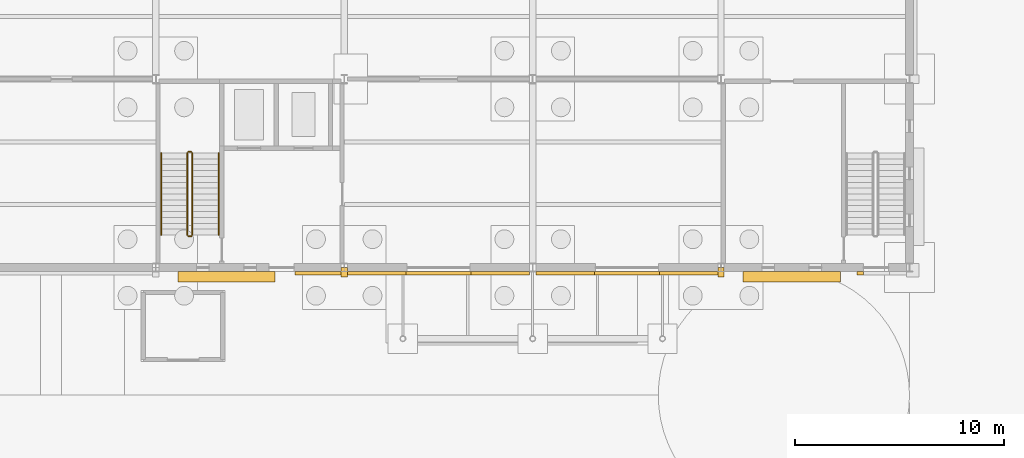
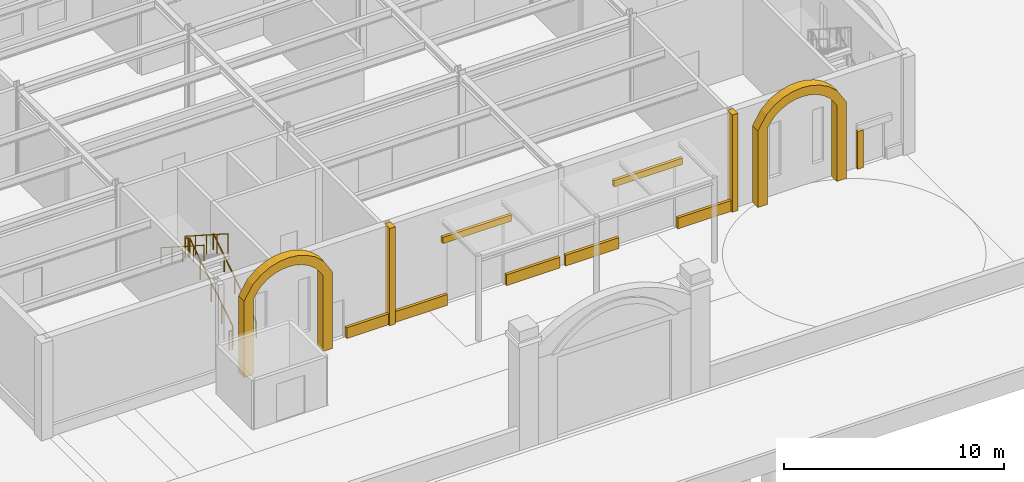
# One storey, part 101 of 126: 12 coverings, 6 railings.
"""IFC4 building model written with IfcOpenShell, lengths in metres."""

from ifc_helpers import new_model, si_unit, direction, frame, origin, origin_2d, place, context, subcontext, project, spatial, polyline, rectangle, circle, outline, extrude, material, layer, layer_set, type_object, element, save


model = new_model("IFC4")

# Units and contexts
model_context = context("Model", 3, precision=1e-05, world=origin(), true_north=direction((0.0, 1.0)))
body_context = subcontext(model_context, "Body", "Model", "MODEL_VIEW")
ifc_project = project(units=[si_unit("LENGTHUNIT", "METRE"), si_unit("AREAUNIT", "SQUARE_METRE"), si_unit("VOLUMEUNIT", "CUBIC_METRE"), si_unit("PLANEANGLEUNIT", "RADIAN"), si_unit("MASSUNIT", "GRAM", prefix="KILO")], contexts=[model_context])

# Site, building, storey
site_placement = place(None, origin())
site = spatial("IfcSite", under=ifc_project, at=site_placement, CompositionType="ELEMENT")
building_placement = place(site_placement, origin())
building = spatial("IfcBuilding", under=site, at=building_placement, Name="Kallimachos Central Library", CompositionType="ELEMENT")
storey_placement = place(building_placement, origin())
storey = spatial("IfcBuildingStorey", under=building, at=storey_placement, Name="L00", CompositionType="ELEMENT", Elevation=0.0)

# Railings
ifc_material_1 = material(Name="Steel S355J2", Category="steel")
railing_type_1 = type_object("IfcRailingType", Name="Stair handrail 900", PredefinedType="HANDRAIL", material=ifc_material_1)
railing_1_placement = place(storey_placement, frame((77.5, 19.550048828125, 0.179931640625)))
element("IfcRailing", 1, at=railing_1_placement, inside=storey, type_object=railing_type_1, Name="L00 ST13 stair handrail 1", PredefinedType="HANDRAIL", context=body_context, shape_type="SweptSolid", body=[
    extrude(circle(Radius=0.02392578125, at=origin_2d()), frame((0.0, 0.0, 0.8759765625), z_axis=(0.0, 0.841171666519, 0.540768182723), x_axis=(-1.0, 0.0, 0.0)), (0.0, 0.0, 1.0), 4.66015625),
    extrude(circle(Radius=0.02099609375, at=origin_2d()), origin(), (0.0, 0.0, 1.0), 0.851806640625),
    extrude(circle(Radius=0.02099609375, at=origin_2d()), frame((0.0, 0.97998046875, 0.6298828125)), (0.0, 0.0, 1.0), 0.851806640625),
    extrude(circle(Radius=0.02099609375, at=origin_2d()), frame((0.0, 1.9599609375, 1.260009765625)), (0.0, 0.0, 1.0), 0.851806640625),
    extrude(circle(Radius=0.02099609375, at=origin_2d()), frame((0.0, 2.93994140625, 1.89013671875)), (0.0, 0.0, 1.0), 0.851806640625),
    extrude(circle(Radius=0.02099609375, at=origin_2d()), frame((0.0, 3.919921875, 2.52001953125)), (0.0, 0.0, 1.0), 0.851806640625),
])
railing_2_placement = place(storey_placement, frame((74.75, 23.469970703125, 2.8798828125)))
element("IfcRailing", 2, at=railing_2_placement, inside=storey, type_object=railing_type_1, Name="L00 ST13 stair handrail 2", PredefinedType="HANDRAIL", context=body_context, shape_type="SweptSolid", body=[
    extrude(circle(Radius=0.02392578125, at=origin_2d()), frame((0.0, 0.0, 0.8759765625), z_axis=(0.0, -0.841171666519, 0.540768182723), x_axis=(1.0, 0.0, 0.0)), (0.0, 0.0, 1.0), 4.66015625),
    extrude(circle(Radius=0.02099609375, at=origin_2d()), origin(), (0.0, 0.0, 1.0), 0.851806640625),
    extrude(circle(Radius=0.02099609375, at=origin_2d()), frame((0.0, -0.97998046875, 0.6298828125)), (0.0, 0.0, 1.0), 0.851806640625),
    extrude(circle(Radius=0.02099609375, at=origin_2d()), frame((0.0, -1.9599609375, 1.260009765625)), (0.0, 0.0, 1.0), 0.851806640625),
    extrude(circle(Radius=0.02099609375, at=origin_2d()), frame((0.0, -2.93994140625, 1.89013671875)), (0.0, 0.0, 1.0), 0.851806640625),
    extrude(circle(Radius=0.02099609375, at=origin_2d()), frame((0.0, -3.919921875, 2.52001953125)), (0.0, 0.0, 1.0), 0.851806640625),
])

# Coverings
ifc_material_2 = material(Name="Pentelic marble arcade ring", Category="masonry")
ifc_layer_1 = layer(ifc_material_2, 0.5)
ifc_layer_set_1 = layer_set([ifc_layer_1], Name="Stone arcade ring 500")
covering_type_1 = type_object("IfcCoveringType", Name="Stone arcade ring 500", PredefinedType="MOLDING", material=ifc_layer_set_1)
for number, where, z_axis, x_axis, name in (
    (3, (76.050048828125, 17.300048828125, 0.0), (0.0, -1.0, 0.0), (0.0, 0.0, 1.0), "Arch ring -L00-011-1"),
    (4, (103.050048828125, 17.300048828125, 0.0), (0.0, -1.0, 0.0), (0.0, 0.0, 1.0), "Arch ring -L00-014-2"),
):
    element("IfcCovering", number, at=place(storey_placement, frame(where, z_axis=z_axis, x_axis=x_axis)), inside=storey, type_object=covering_type_1, Name=name, PredefinedType="MOLDING", context=body_context, shape_type="SweptSolid", body=[
        extrude(outline(polyline([(0.0, 0.0), (4.25, 0.0), (4.74169921875, -0.364990234375), (5.031494140625, -0.72998046875), (5.2119140625, -1.094970703125), (5.3125, -1.4599609375), (5.344970703125, -1.824951171875), (5.3125, -2.18994140625), (5.2119140625, -2.554931640625), (5.031494140625, -2.919921875), (4.74169921875, -3.284912109375), (4.25, -3.64990234375), (0.0, -3.64990234375), (0.0, -4.14990234375), (4.25, -4.14990234375), (5.011474609375, -3.68505859375), (5.41796875, -3.219970703125), (5.6650390625, -2.7548828125), (5.80126953125, -2.2900390625), (5.844970703125, -1.824951171875), (5.80126953125, -1.35986328125), (5.6650390625, -0.89501953125), (5.41796875, -0.429931640625), (5.011474609375, 0.03515625), (4.25, 0.5), (0.0, 0.5), (0.0, 0.0)])), origin(), (0.0, 0.0, -1.0), 0.5),
    ])
ifc_material_3 = material(Name="Pentelic marble door surround", Category="masonry")
ifc_layer_2 = layer(ifc_material_3, 0.14990234375)
ifc_layer_set_2 = layer_set([ifc_layer_2], Name="Stone door surround 300")
covering_type_2 = type_object("IfcCoveringType", Name="Stone door surround 300", PredefinedType="MOLDING", material=ifc_layer_set_2)
for number, where, z_axis, x_axis, name in (
    (5, (88.0, 17.72509765625, 3.5), (0.0, 0.0, 1.0), (1.0, 0.0, 0.0), "Stone door surround 300 -L00-004"),
    (6, (97.0, 17.72509765625, 3.5), (0.0, 0.0, 1.0), (1.0, 0.0, 0.0), "Stone door surround 300 -L00-005"),
):
    element("IfcCovering", number, at=place(storey_placement, frame(where, z_axis=z_axis, x_axis=x_axis)), inside=storey, type_object=covering_type_2, Name=name, PredefinedType="MOLDING", context=body_context, shape_type="SweptSolid", body=[
        extrude(rectangle(XDim=3.60009765625, YDim=0.14990234375, at=origin_2d()), origin(), (0.0, 0.0, 1.0), 0.35009765625),
    ])
covering_1_placement = place(storey_placement, frame((108.14990234375, 17.72509765625, 0.0), z_axis=(0.0, 0.0, 1.0), x_axis=(1.0, 0.0, 0.0)))
element("IfcCovering", 7, at=covering_1_placement, inside=storey, type_object=covering_type_2, Name="Stone door surround 300 -L00-009", PredefinedType="MOLDING", context=body_context, shape_type="SweptSolid", body=[
    extrude(rectangle(XDim=0.300048828125, YDim=0.14990234375, at=origin_2d()), origin(), (0.0, 0.0, 1.0), 2.10009765625),
])
ifc_material_4 = material(Name="Pentelic marble pilaster", Category="masonry")
ifc_layer_3 = layer(ifc_material_4, 0.25)
ifc_layer_set_3 = layer_set([ifc_layer_3], Name="Stone pilaster 250")
covering_type_3 = type_object("IfcCoveringType", Name="Stone pilaster 250", PredefinedType="CLADDING", material=ifc_layer_set_3)
for number, where, z_axis, x_axis, name in (
    (8, (83.5, 17.77490234375, 0.0), (0.0, 0.0, 1.0), (1.0, 0.0, 0.0), "Stone pilaster 250 -L00-011"),
    (9, (101.5, 17.77490234375, 0.0), (0.0, 0.0, 1.0), (1.0, 0.0, 0.0), "Stone pilaster 250 -L00-013"),
):
    element("IfcCovering", number, at=place(storey_placement, frame(where, z_axis=z_axis, x_axis=x_axis)), inside=storey, type_object=covering_type_3, Name=name, PredefinedType="CLADDING", context=body_context, shape_type="SweptSolid", body=[
        extrude(rectangle(XDim=0.300048828125, YDim=0.449951171875, at=origin_2d()), origin(), (0.0, 0.0, 1.0), 5.39990234375),
    ])
ifc_material_5 = material(Name="Pentelic marble plinth course", Category="masonry")
ifc_layer_4 = layer(ifc_material_5, 0.14990234375)
ifc_layer_set_4 = layer_set([ifc_layer_4], Name="Stone plinth course 600")
covering_type_4 = type_object("IfcCoveringType", Name="Stone plinth course 600", PredefinedType="CLADDING", material=ifc_layer_set_4)
covering_2_placement = place(storey_placement, frame((82.25, 17.72509765625, 0.0), z_axis=(0.0, 0.0, 1.0), x_axis=(1.0, 0.0, 0.0)))
element("IfcCovering", 10, at=covering_2_placement, inside=storey, type_object=covering_type_4, Name="Stone plinth course 600 -L00-011", PredefinedType="CLADDING", context=body_context, shape_type="SweptSolid", body=[
    extrude(rectangle(XDim=2.199951171875, YDim=0.14990234375, at=origin_2d()), origin(), (0.0, 0.0, 1.0), 0.60009765625),
])
for number, where, z_axis, x_axis, name in (
    (11, (85.050048828125, 17.72509765625, 0.0), (0.0, 0.0, 1.0), (1.0, 0.0, 0.0), "Stone plinth course 600 -L00-012"),
    (12, (90.949951171875, 17.72509765625, 0.0), (0.0, 0.0, 1.0), (1.0, 0.0, 0.0), "Stone plinth course 600 -L00-012"),
    (13, (94.050048828125, 17.72509765625, 0.0), (0.0, 0.0, 1.0), (1.0, 0.0, 0.0), "Stone plinth course 600 -L00-013"),
    (14, (99.949951171875, 17.72509765625, 0.0), (0.0, 0.0, 1.0), (1.0, 0.0, 0.0), "Stone plinth course 600 -L00-013"),
):
    element("IfcCovering", number, at=place(storey_placement, frame(where, z_axis=z_axis, x_axis=x_axis)), inside=storey, type_object=covering_type_4, Name=name, PredefinedType="CLADDING", context=body_context, shape_type="SweptSolid", body=[
        extrude(rectangle(XDim=2.800048828125, YDim=0.14990234375, at=origin_2d()), origin(), (0.0, 0.0, 1.0), 0.60009765625),
    ])

# Railings
ifc_material_6 = material(Name="Steel S355J2", Category="steel")
railing_type_2 = type_object("IfcRailingType", Name="Wrought-iron guard 1100", PredefinedType="GUARDRAIL", material=ifc_material_6)
railing_3_placement = place(storey_placement, frame((76.25, 19.550048828125, 0.179931640625)))
element("IfcRailing", 15, at=railing_3_placement, inside=storey, type_object=railing_type_2, Name="L00 ST13 stair guard 1", PredefinedType="GUARDRAIL", context=body_context, shape_type="SweptSolid", body=[
    extrude(circle(Radius=0.02392578125, at=origin_2d()), frame((0.0, 0.0, 1.076171875), z_axis=(0.0, 0.841171666519, 0.540768182723), x_axis=(-1.0, 0.0, 0.0)), (0.0, 0.0, 1.0), 4.66015625),
    extrude(circle(Radius=0.02099609375, at=origin_2d()), origin(), (0.0, 0.0, 1.0), 1.052001953125),
    extrude(circle(Radius=0.02099609375, at=origin_2d()), frame((0.0, 0.97998046875, 0.6298828125)), (0.0, 0.0, 1.0), 1.052001953125),
    extrude(circle(Radius=0.02099609375, at=origin_2d()), frame((0.0, 1.9599609375, 1.260009765625)), (0.0, 0.0, 1.0), 1.052001953125),
    extrude(circle(Radius=0.02099609375, at=origin_2d()), frame((0.0, 2.93994140625, 1.89013671875)), (0.0, 0.0, 1.0), 1.052001953125),
    extrude(circle(Radius=0.02099609375, at=origin_2d()), frame((0.0, 3.919921875, 2.52001953125)), (0.0, 0.0, 1.0), 1.052001953125),
])
railing_4_placement = place(storey_placement, frame((76.199951171875, 23.52001953125, 2.699951171875)))
element("IfcRailing", 16, at=railing_4_placement, inside=storey, type_object=railing_type_2, Name="L00 ST13 stair guard 2", PredefinedType="GUARDRAIL", context=body_context, shape_type="SweptSolid", body=[
    extrude(circle(Radius=0.02392578125, at=origin_2d()), frame((0.0, 0.0, 1.076171875), z_axis=(-1.0, 0.0, 0.0), x_axis=(0.0, -1.0, 0.0)), (0.0, 0.0, 1.0), 0.14990234375),
    extrude(circle(Radius=0.02099609375, at=origin_2d()), origin(), (0.0, 0.0, 1.0), 1.052001953125),
    extrude(circle(Radius=0.02099609375, at=origin_2d()), frame((-0.14990234375, 0.0, 0.0)), (0.0, 0.0, 1.0), 1.052001953125),
])
railing_5_placement = place(storey_placement, frame((76.0, 23.469970703125, 2.8798828125)))
element("IfcRailing", 17, at=railing_5_placement, inside=storey, type_object=railing_type_2, Name="L00 ST13 stair guard 3", PredefinedType="GUARDRAIL", context=body_context, shape_type="SweptSolid", body=[
    extrude(circle(Radius=0.02392578125, at=origin_2d()), frame((0.0, 0.0, 1.076171875), z_axis=(0.0, -0.841171666519, 0.540768182723), x_axis=(1.0, 0.0, 0.0)), (0.0, 0.0, 1.0), 4.66015625),
    extrude(circle(Radius=0.02099609375, at=origin_2d()), origin(), (0.0, 0.0, 1.0), 1.052001953125),
    extrude(circle(Radius=0.02099609375, at=origin_2d()), frame((0.0, -0.97998046875, 0.6298828125)), (0.0, 0.0, 1.0), 1.052001953125),
    extrude(circle(Radius=0.02099609375, at=origin_2d()), frame((0.0, -1.9599609375, 1.260009765625)), (0.0, 0.0, 1.0), 1.052001953125),
    extrude(circle(Radius=0.02099609375, at=origin_2d()), frame((0.0, -2.93994140625, 1.89013671875)), (0.0, 0.0, 1.0), 1.052001953125),
    extrude(circle(Radius=0.02099609375, at=origin_2d()), frame((0.0, -3.919921875, 2.52001953125)), (0.0, 0.0, 1.0), 1.052001953125),
])
railing_6_placement = place(storey_placement, frame((76.199951171875, 19.5, 0.0)))
element("IfcRailing", 18, at=railing_6_placement, inside=storey, type_object=railing_type_2, Name="L00 ST13 stair guard 4", PredefinedType="GUARDRAIL", context=body_context, shape_type="SweptSolid", body=[
    extrude(circle(Radius=0.02392578125, at=origin_2d()), frame((0.0, 0.0, 1.076171875), z_axis=(-1.0, 0.0, 0.0), x_axis=(0.0, -1.0, 0.0)), (0.0, 0.0, 1.0), 0.14990234375),
    extrude(circle(Radius=0.02099609375, at=origin_2d()), origin(), (0.0, 0.0, 1.0), 1.052001953125),
    extrude(circle(Radius=0.02099609375, at=origin_2d()), frame((-0.14990234375, 0.0, 0.0)), (0.0, 0.0, 1.0), 1.052001953125),
])

save(model, "model.ifc")
